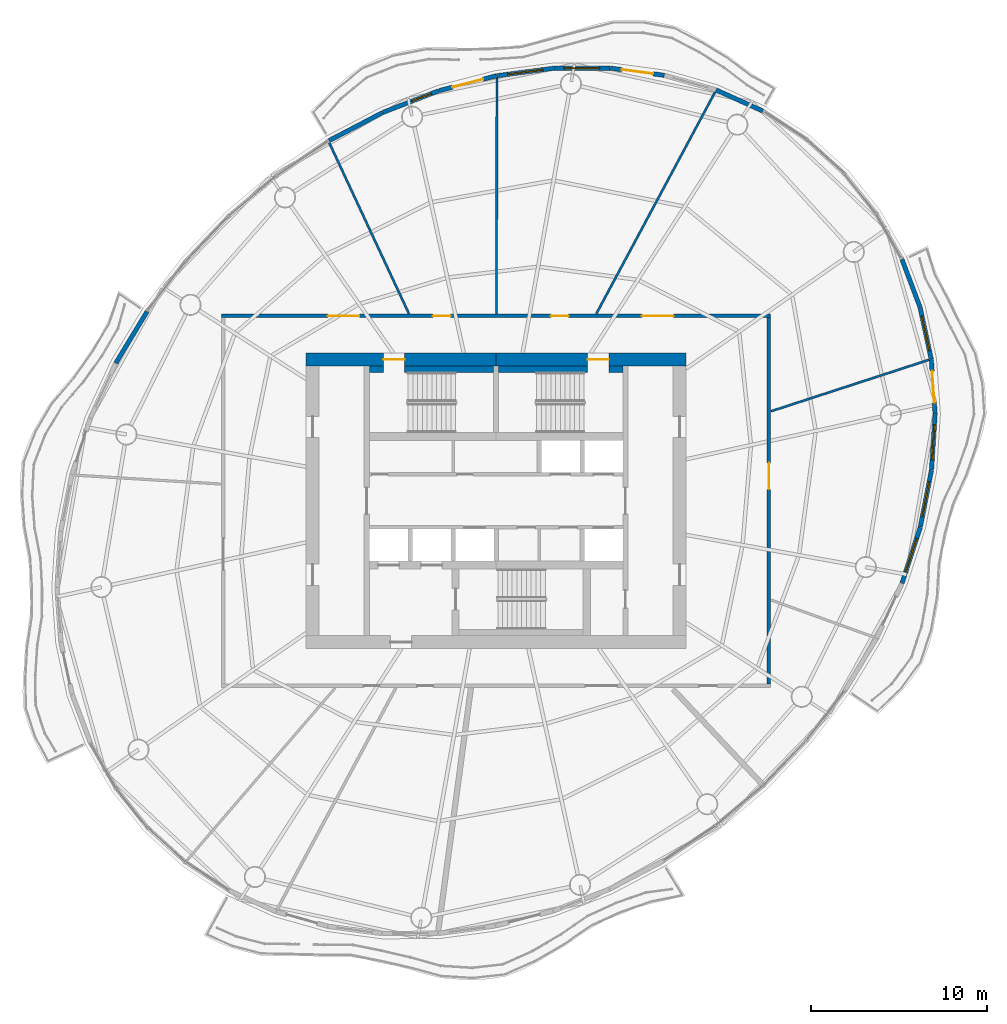
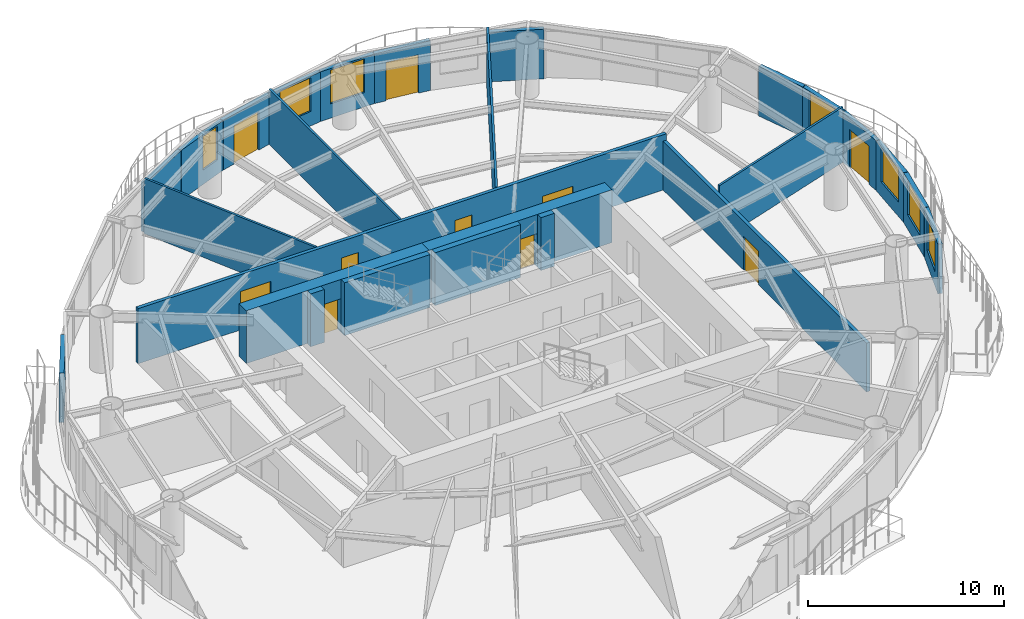
# One storey, part 10 of 14: 26 walls, 10 doors, 7 windows, 17 openings.
"""IFC4 building model written with IfcOpenShell, lengths in metres."""

from ifc_helpers import new_model, si_unit, direction, frame, frame_2d, origin, place, context, subcontext, project, spatial, rectangle, extrude, material, layer, layer_set, type_object, element, fill, save


model = new_model("IFC4")

# Units and contexts
model_context = context("Model", 3, precision=1e-05, world=origin(), true_north=direction((0.0, 1.0)))
body_context = subcontext(model_context, "Body", "Model", "MODEL_VIEW")
ifc_project = project(units=[si_unit("LENGTHUNIT", "METRE"), si_unit("AREAUNIT", "SQUARE_METRE"), si_unit("VOLUMEUNIT", "CUBIC_METRE"), si_unit("PLANEANGLEUNIT", "RADIAN"), si_unit("MASSUNIT", "GRAM", prefix="KILO")], contexts=[model_context])

# Site, building, storey
site_placement = place(None, origin())
site = spatial("IfcSite", under=ifc_project, at=site_placement, CompositionType="ELEMENT")
building_placement = place(site_placement, origin())
building = spatial("IfcBuilding", under=site, at=building_placement, Name="Vermilion Reach Broadcast Tower", CompositionType="ELEMENT")
storey_placement = place(building_placement, frame((0.0, 0.0, 206.5)))
storey = spatial("IfcBuildingStorey", under=building, at=storey_placement, Name="L50", CompositionType="ELEMENT", Elevation=206.5)

# Wall, opening, door
ifc_material_1 = material(Name="Concrete C60", Category="concrete")
ifc_layer_1 = layer(ifc_material_1, 0.75)
ifc_layer_set_1 = layer_set([ifc_layer_1], Name="Core outer wall 750 mm Concrete C60")
wall_type_1 = type_object("IfcWallType", Name="Core outer wall 750 mm Concrete C60", PredefinedType="SHEAR", material=ifc_layer_set_1)
wall_1_placement = place(storey_placement, frame((4.800048828125, 8.02490234375, 0.0), z_axis=(0.0, 0.0, 1.0), x_axis=(-1.0, 0.0, 0.0)))
wall_1 = element("IfcWall", 1, at=wall_1_placement, inside=storey, type_object=wall_type_1, Name="L50 core wall onE", PredefinedType="SHEAR", context=body_context, shape_type="SweptSolid", body=[
    extrude(rectangle(XDim=10.800048828125, YDim=0.75, at=frame_2d((5.39990234375, 0.0))), origin(), (0.0, 0.0, 1.0), 3.300048828125),
])
opening_1_placement = place(wall_1_placement, frame((4.39990234375, 0.0, 0.0)))
opening_1 = element("IfcOpeningElement", 2, at=opening_1_placement, cuts=wall_1, Name="Opening D01", PredefinedType="OPENING", context=body_context, shape_type="SweptSolid", body=[
    extrude(rectangle(XDim=1.199951171875, YDim=2.10009765625, at=frame_2d((0.60009765625, 1.050048828125))), frame((0.0, 0.385009765625, 0.0), z_axis=(0.0, -1.0, 0.0), x_axis=(1.0, 0.0, 0.0)), (0.0, 0.0, 1.0), 0.77001953125),
])
ifc_material_2 = material(Name="Painted steel fire door", Category="steel")
door_type_1 = type_object("IfcDoorType", Name="Stair door 1200 x 2100", OperationType="DOUBLE_DOOR_SINGLE_SWING", PredefinedType="NOTDEFINED", material=ifc_material_2)
door_1_placement = place(opening_1_placement, origin())
door_1 = element("IfcDoor", 3, at=door_1_placement, inside=storey, type_object=door_type_1, Name="L50 stair door ST2", OperationType="DOUBLE_DOOR_SINGLE_SWING", OverallHeight=2.10009765625, OverallWidth=1.199951171875, PredefinedType="NOTDEFINED", context=body_context, shape_type="SweptSolid", body=[
    extrude(rectangle(XDim=1.199951171875, YDim=2.10009765625, at=frame_2d((0.60009765625, 1.050048828125))), frame((0.0, 0.02490234375, 0.0), z_axis=(0.0, -1.0, 0.0), x_axis=(1.0, 0.0, 0.0)), (0.0, 0.0, 1.0), 0.050048828125),
])
fill(opening_1, door_1)

wall_2_placement = place(storey_placement, frame((-6.0, 8.02490234375, 0.0), z_axis=(0.0, 0.0, 1.0), x_axis=(-1.0, 0.0, 0.0)))
wall_2 = element("IfcWall", 4, at=wall_2_placement, inside=storey, type_object=wall_type_1, Name="L50 core wall onW", PredefinedType="SHEAR", context=body_context, shape_type="SweptSolid", body=[
    extrude(rectangle(XDim=10.800048828125, YDim=0.75, at=frame_2d((5.39990234375, 0.0))), origin(), (0.0, 0.0, 1.0), 3.300048828125),
])
opening_2_placement = place(wall_2_placement, frame((5.199951171875, 0.0, 0.0)))
opening_2 = element("IfcOpeningElement", 5, at=opening_2_placement, cuts=wall_2, Name="Opening D01", PredefinedType="OPENING", context=body_context, shape_type="SweptSolid", body=[
    extrude(rectangle(XDim=1.199951171875, YDim=2.10009765625, at=frame_2d((0.60009765625, 1.050048828125))), frame((0.0, 0.385009765625, 0.0), z_axis=(0.0, -1.0, 0.0), x_axis=(1.0, 0.0, 0.0)), (0.0, 0.0, 1.0), 0.77001953125),
])
door_2_placement = place(opening_2_placement, origin())
door_2 = element("IfcDoor", 6, at=door_2_placement, inside=storey, type_object=door_type_1, Name="L50 stair door ST1", OperationType="DOUBLE_DOOR_SINGLE_SWING", OverallHeight=2.10009765625, OverallWidth=1.199951171875, PredefinedType="NOTDEFINED", context=body_context, shape_type="SweptSolid", body=[
    extrude(rectangle(XDim=1.199951171875, YDim=2.10009765625, at=frame_2d((0.60009765625, 1.050048828125))), frame((0.0, 0.02490234375, 0.0), z_axis=(0.0, -1.0, 0.0), x_axis=(1.0, 0.0, 0.0)), (0.0, 0.0, 1.0), 0.050048828125),
])
fill(opening_2, door_2)

# Walls
ifc_material_3 = material(Name="Concrete C60", Category="concrete")
ifc_layer_2 = layer(ifc_material_3, 0.35009765625)
ifc_layer_set_2 = layer_set([ifc_layer_2], Name="Core stair wall 350 mm Concrete C60")
wall_type_2 = type_object("IfcWallType", Name="Core stair wall 350 mm Concrete C60", PredefinedType="SHEAR", material=ifc_layer_set_2)
wall_3_placement = place(storey_placement, frame((-13.199951171875, 7.47509765625, 0.0), z_axis=(0.0, 0.0, 1.0), x_axis=(1.0, 0.0, 0.0)))
element("IfcWall", 7, at=wall_3_placement, inside=storey, type_object=wall_type_2, Name="L50 core wall l1a", PredefinedType="SHEAR", context=body_context, shape_type="SweptSolid", body=[
    extrude(rectangle(XDim=0.800048828125, YDim=0.35009765625, at=frame_2d((0.39990234375, 0.0))), origin(), (0.0, 0.0, 1.0), 3.300048828125),
])
for number, where, z_axis, x_axis, name in (
    (8, (-11.199951171875, 7.47509765625, 0.0), (0.0, 0.0, 1.0), (1.0, 0.0, 0.0), "L50 core wall l1b"),
    (9, (-5.85009765625, 7.47509765625, 0.0), (0.0, 0.0, 1.0), (1.0, 0.0, 0.0), "L50 core wall l2a"),
):
    element("IfcWall", number, at=place(storey_placement, frame(where, z_axis=z_axis, x_axis=x_axis)), inside=storey, type_object=wall_type_2, Name=name, PredefinedType="SHEAR", context=body_context, shape_type="SweptSolid", body=[
        extrude(rectangle(XDim=5.050048828125, YDim=0.35009765625, at=frame_2d((2.52490234375, 0.0))), origin(), (0.0, 0.0, 1.0), 3.300048828125),
    ])
wall_4_placement = place(storey_placement, frame((0.39990234375, 7.47509765625, 0.0), z_axis=(0.0, 0.0, 1.0), x_axis=(1.0, 0.0, 0.0)))
element("IfcWall", 10, at=wall_4_placement, inside=storey, type_object=wall_type_2, Name="L50 core wall l2b", PredefinedType="SHEAR", context=body_context, shape_type="SweptSolid", body=[
    extrude(rectangle(XDim=0.800048828125, YDim=0.35009765625, at=frame_2d((0.39990234375, 0.0))), origin(), (0.0, 0.0, 1.0), 3.300048828125),
])

# Wall, openings, doors
ifc_material_4 = material(Name="Fire-rated gypsum board partition")
ifc_layer_3 = layer(ifc_material_4, 0.199951171875)
ifc_layer_set_3 = layer_set([ifc_layer_3], Name="Corridor wall 200 fire-rated")
wall_type_3 = type_object("IfcWallType", Name="Corridor wall 200 fire-rated", PredefinedType="PARTITIONING", material=ifc_layer_set_3)
wall_5_placement = place(storey_placement, frame((-21.60009765625, 10.5, 0.0), z_axis=(0.0, 0.0, 1.0), x_axis=(1.0, 0.0, 0.0)))
wall_5 = element("IfcWall", 11, at=wall_5_placement, inside=storey, type_object=wall_type_3, Name="Corridor wall 50.N", PredefinedType="PARTITIONING", context=body_context, shape_type="SweptSolid", body=[
    extrude(rectangle(XDim=31.2001953125, YDim=0.199951171875, at=frame_2d((15.60009765625, 0.0))), origin(), (0.0, 0.0, 1.0), 3.449951171875),
])
opening_3_placement = place(wall_5_placement, frame((18.716552734375, 0.0, 0.0)))
opening_3 = element("IfcOpeningElement", 12, at=opening_3_placement, cuts=wall_5, Name="Opening D23", PredefinedType="OPENING", context=body_context, shape_type="SweptSolid", body=[
    extrude(rectangle(XDim=1.0, YDim=2.39990234375, at=frame_2d((0.5, 1.199951171875))), frame((0.0, 0.10986328125, 0.0), z_axis=(0.0, -1.0, 0.0), x_axis=(1.0, 0.0, 0.0)), (0.0, 0.0, 1.0), 0.219970703125),
])
opening_4_placement = place(wall_5_placement, frame((12.013671875, 0.0, 0.0)))
opening_4 = element("IfcOpeningElement", 13, at=opening_4_placement, cuts=wall_5, Name="Opening D23", PredefinedType="OPENING", context=body_context, shape_type="SweptSolid", body=[
    extrude(rectangle(XDim=1.0, YDim=2.39990234375, at=frame_2d((0.5, 1.199951171875))), frame((0.0, 0.10986328125, 0.0), z_axis=(0.0, -1.0, 0.0), x_axis=(1.0, 0.0, 0.0)), (0.0, 0.0, 1.0), 0.219970703125),
])
opening_5_placement = place(wall_5_placement, frame((6.037353515625, 0.0, 0.0)))
opening_5 = element("IfcOpeningElement", 14, at=opening_5_placement, cuts=wall_5, Name="Opening D27", PredefinedType="OPENING", context=body_context, shape_type="SweptSolid", body=[
    extrude(rectangle(XDim=1.800048828125, YDim=2.39990234375, at=frame_2d((0.89990234375, 1.199951171875))), frame((0.0, 0.10986328125, 0.0), z_axis=(0.0, -1.0, 0.0), x_axis=(1.0, 0.0, 0.0)), (0.0, 0.0, 1.0), 0.219970703125),
])
opening_6_placement = place(wall_5_placement, frame((23.88037109375, 0.0, 0.0)))
opening_6 = element("IfcOpeningElement", 15, at=opening_6_placement, cuts=wall_5, Name="Opening D21", PredefinedType="OPENING", context=body_context, shape_type="SweptSolid", body=[
    extrude(rectangle(XDim=1.800048828125, YDim=2.10009765625, at=frame_2d((0.89990234375, 1.050048828125))), frame((0.0, 0.10986328125, 0.0), z_axis=(0.0, -1.0, 0.0), x_axis=(1.0, 0.0, 0.0)), (0.0, 0.0, 1.0), 0.219970703125),
])
ifc_material_5 = material(Name="Timber door leaf", Category="wood")
door_type_2 = type_object("IfcDoorType", Name="Door pair 1800x2100", OperationType="NOTDEFINED", PredefinedType="DOOR", material=ifc_material_5)
door_3_placement = place(opening_6_placement, origin())
door_3 = element("IfcDoor", 16, at=door_3_placement, inside=storey, type_object=door_type_2, Name="Door 50.10", OperationType="DOUBLE_DOOR_SINGLE_SWING", OverallHeight=2.10009765625, OverallWidth=1.800048828125, PredefinedType="DOOR", context=body_context, shape_type="SweptSolid", body=[
    extrude(rectangle(XDim=1.800048828125, YDim=2.10009765625, at=frame_2d((0.89990234375, 1.050048828125))), frame((0.0, 0.02490234375, 0.0), z_axis=(0.0, -1.0, 0.0), x_axis=(1.0, 0.0, 0.0)), (0.0, 0.0, 1.0), 0.050048828125),
])
fill(opening_6, door_3)
ifc_material_6 = material(Name="Acoustic timber door leaf", Category="wood")
door_type_3 = type_object("IfcDoorType", Name="Door pair 1800x2400", OperationType="NOTDEFINED", PredefinedType="DOOR", material=ifc_material_6)
door_4_placement = place(opening_5_placement, origin())
door_4 = element("IfcDoor", 17, at=door_4_placement, inside=storey, type_object=door_type_3, Name="Door 50.03", OperationType="DOUBLE_DOOR_SINGLE_SWING", OverallHeight=2.39990234375, OverallWidth=1.800048828125, PredefinedType="DOOR", context=body_context, shape_type="SweptSolid", body=[
    extrude(rectangle(XDim=1.800048828125, YDim=2.39990234375, at=frame_2d((0.89990234375, 1.199951171875))), frame((0.0, 0.02490234375, 0.0), z_axis=(0.0, -1.0, 0.0), x_axis=(1.0, 0.0, 0.0)), (0.0, 0.0, 1.0), 0.050048828125),
])
fill(opening_5, door_4)
ifc_material_7 = material(Name="Veneered timber door leaf", Category="wood")
door_type_4 = type_object("IfcDoorType", Name="Door single 1000x2400", OperationType="NOTDEFINED", PredefinedType="DOOR", material=ifc_material_7)
door_5_placement = place(opening_3_placement, origin())
door_5 = element("IfcDoor", 18, at=door_5_placement, inside=storey, type_object=door_type_4, Name="Door 50.01", OperationType="SINGLE_SWING_RIGHT", OverallHeight=2.39990234375, OverallWidth=1.0, PredefinedType="DOOR", context=body_context, shape_type="SweptSolid", body=[
    extrude(rectangle(XDim=1.0, YDim=2.39990234375, at=frame_2d((0.5, 1.199951171875))), frame((0.0, 0.02490234375, 0.0), z_axis=(0.0, -1.0, 0.0), x_axis=(1.0, 0.0, 0.0)), (0.0, 0.0, 1.0), 0.050048828125),
])
fill(opening_3, door_5)
door_6_placement = place(opening_4_placement, origin())
door_6 = element("IfcDoor", 19, at=door_6_placement, inside=storey, type_object=door_type_4, Name="Door 50.02", OperationType="SINGLE_SWING_LEFT", OverallHeight=2.39990234375, OverallWidth=1.0, PredefinedType="DOOR", context=body_context, shape_type="SweptSolid", body=[
    extrude(rectangle(XDim=1.0, YDim=2.39990234375, at=frame_2d((0.5, 1.199951171875))), frame((0.0, 0.02490234375, 0.0), z_axis=(0.0, -1.0, 0.0), x_axis=(1.0, 0.0, 0.0)), (0.0, 0.0, 1.0), 0.050048828125),
])
fill(opening_4, door_6)

# Walls
ifc_material_8 = material(Name="Fire-rated plasterboard on steel stud", Category="steel")
ifc_layer_4 = layer(ifc_material_8, 0.125)
ifc_layer_set_4 = layer_set([ifc_layer_4], Name="Partition 125 fire-rated stud")
wall_type_4 = type_object("IfcWallType", Name="Partition 125 fire-rated stud", PredefinedType="PARTITIONING", material=ifc_layer_set_4)
wall_6_placement = place(storey_placement, frame((6.445068359375, 23.228271484375, 0.0), z_axis=(0.0, 0.0, 1.0), x_axis=(-0.472254118232, -0.881462448328, 0.0)))
element("IfcWall", 20, at=wall_6_placement, inside=storey, type_object=wall_type_4, Name="Partition 50.01", PredefinedType="PARTITIONING", context=body_context, shape_type="SweptSolid", body=[
    extrude(rectangle(XDim=14.293212890625, YDim=0.125, at=frame_2d((7.146484375, 0.0))), origin(), (0.0, 0.0, 1.0), 3.449951171875),
])
wall_7_placement = place(storey_placement, frame((-5.953369140625, 24.02294921875, 0.0), z_axis=(0.0, 0.0, 1.0), x_axis=(-0.001946158555, -0.999998106232, 0.0)))
element("IfcWall", 21, at=wall_7_placement, inside=storey, type_object=wall_type_4, Name="Partition 50.02", PredefinedType="PARTITIONING", context=body_context, shape_type="SweptSolid", body=[
    extrude(rectangle(XDim=13.4228515625, YDim=0.125, at=frame_2d((6.71142578125, 0.0))), origin(), (0.0, 0.0, 1.0), 3.449951171875),
])
wall_8_placement = place(storey_placement, frame((-15.473388671875, 20.330322265625, 0.0), z_axis=(0.0, 0.0, 1.0), x_axis=(0.422368542202, -0.906424191291, 0.0)))
element("IfcWall", 22, at=wall_8_placement, inside=storey, type_object=wall_type_4, Name="Partition 50.03", PredefinedType="PARTITIONING", context=body_context, shape_type="SweptSolid", body=[
    extrude(rectangle(XDim=10.70556640625, YDim=0.125, at=frame_2d((5.352783203125, 0.0))), origin(), (0.0, 0.0, 1.0), 3.449951171875),
])
wall_9_placement = place(storey_placement, frame((18.599365234375, 8.0126953125, 0.0), z_axis=(0.0, 0.0, 1.0), x_axis=(-0.950829834715, -0.30971377983, 0.0)))
element("IfcWall", 23, at=wall_9_placement, inside=storey, type_object=wall_type_4, Name="Partition 50.10", PredefinedType="PARTITIONING", context=body_context, shape_type="SweptSolid", body=[
    extrude(rectangle(XDim=9.4443359375, YDim=0.125, at=frame_2d((4.72216796875, 0.0))), origin(), (0.0, 0.0, 1.0), 3.449951171875),
])
ifc_material_9 = material(Name="Terracotta rainscreen cladding", Category="masonry")
ifc_layer_5 = layer(ifc_material_9, 0.25)
ifc_layer_set_5 = layer_set([ifc_layer_5], Name="Terracotta rainscreen wall 250")
wall_type_5 = type_object("IfcWallType", Name="Terracotta rainscreen wall 250", PredefinedType="SOLIDWALL", material=ifc_layer_set_5)
wall_10_placement = place(storey_placement, frame((9.143798828125, 22.146728515625, 0.0), z_axis=(0.0, 0.0, 1.0), x_axis=(-0.91141845893, 0.411480731897, 0.0)))
element("IfcWall", 24, at=wall_10_placement, inside=storey, type_object=wall_type_5, Name="External wall L50 02", PredefinedType="SOLIDWALL", context=body_context, shape_type="SweptSolid", body=[
    extrude(rectangle(XDim=2.900634765625, YDim=0.25, at=frame_2d((1.4501953125, 0.0))), origin(), (0.0, 0.0, 1.0), 3.10009765625),
])

# Wall, opening, door
wall_11_placement = place(storey_placement, frame((3.553955078125, 24.171875, 0.0), z_axis=(0.0, 0.0, 1.0), x_axis=(-0.99120717839, 0.132319044388, 0.0)))
wall_11 = element("IfcWall", 25, at=wall_11_placement, inside=storey, type_object=wall_type_5, Name="External wall L50 04", PredefinedType="SOLIDWALL", context=body_context, shape_type="SweptSolid", body=[
    extrude(rectangle(XDim=3.088623046875, YDim=0.25, at=frame_2d((1.54443359375, 0.0))), origin(), (0.0, 0.0, 1.0), 3.10009765625),
])
opening_7_placement = place(wall_11_placement, frame((0.64404296875, 0.0, 0.0)))
opening_7 = element("IfcOpeningElement", 26, at=opening_7_placement, cuts=wall_11, Name="Opening D70", PredefinedType="OPENING", context=body_context, shape_type="SweptSolid", body=[
    extrude(rectangle(XDim=1.800048828125, YDim=2.39990234375, at=frame_2d((0.89990234375, 1.199951171875))), frame((0.0, 0.135009765625, 0.0), z_axis=(0.0, -1.0, 0.0), x_axis=(1.0, 0.0, 0.0)), (0.0, 0.0, 1.0), 0.27001953125),
])
ifc_material_10 = material(Name="Low-e laminated clear glass in aluminium frame", Category="aluminium")
door_type_5 = type_object("IfcDoorType", Name="Balcony sliding door 1800 x 2400", OperationType="DOUBLE_DOOR_SLIDING", PredefinedType="DOOR", material=ifc_material_10)
door_7_placement = place(opening_7_placement, origin())
door_7 = element("IfcDoor", 27, at=door_7_placement, inside=storey, type_object=door_type_5, Name="Balcony door L50 run 01", OperationType="DOUBLE_DOOR_SLIDING", OverallHeight=2.39990234375, OverallWidth=1.800048828125, PredefinedType="DOOR", context=body_context, shape_type="SweptSolid", body=[
    extrude(rectangle(XDim=1.800048828125, YDim=2.39990234375, at=frame_2d((0.89990234375, 1.199951171875))), frame((0.0, 0.02490234375, 0.0), z_axis=(0.0, -1.0, 0.0), x_axis=(1.0, 0.0, 0.0)), (0.0, 0.0, 1.0), 0.050048828125),
])
fill(opening_7, door_7)

# Wall, opening, window
wall_12_placement = place(storey_placement, frame((0.467529296875, 24.582275390625, 0.0), z_axis=(0.0, 0.0, 1.0), x_axis=(-0.999996972757, -0.002460584631, 0.0)))
wall_12 = element("IfcWall", 28, at=wall_12_placement, inside=storey, type_object=wall_type_5, Name="External wall L50 05", PredefinedType="SOLIDWALL", context=body_context, shape_type="SweptSolid", body=[
    extrude(rectangle(XDim=3.175048828125, YDim=0.25, at=frame_2d((1.58740234375, 0.0))), origin(), (0.0, 0.0, 1.0), 3.10009765625),
])
opening_8_placement = place(wall_12_placement, frame((0.587646484375, 0.0, 0.89990234375)))
opening_8 = element("IfcOpeningElement", 29, at=opening_8_placement, cuts=wall_12, Name="Opening W03", PredefinedType="OPENING", context=body_context, shape_type="SweptSolid", body=[
    extrude(rectangle(XDim=2.0, YDim=2.10009765625, at=frame_2d((1.0, 1.050048828125))), frame((0.0, 0.135009765625, 0.0), z_axis=(0.0, -1.0, 0.0), x_axis=(1.0, 0.0, 0.0)), (0.0, 0.0, 1.0), 0.27001953125),
])
ifc_material_11 = material(Name="Low-e laminated clear glass in aluminium frame", Category="aluminium")
window_type_1 = type_object("IfcWindowType", Name="Punched window 2000 x 2100 sill 900", PartitioningType="SINGLE_PANEL", PredefinedType="WINDOW", material=ifc_material_11)
window_1_placement = place(opening_8_placement, origin())
window_1 = element("IfcWindow", 30, at=window_1_placement, inside=storey, type_object=window_type_1, Name="Window L50 05", OverallHeight=2.10009765625, OverallWidth=2.0, PartitioningType="SINGLE_PANEL", PredefinedType="WINDOW", context=body_context, shape_type="SweptSolid", body=[
    extrude(rectangle(XDim=2.0, YDim=2.10009765625, at=frame_2d((1.0, 1.050048828125))), frame((0.0, 0.030029296875, 0.0), z_axis=(0.0, -1.0, 0.0), x_axis=(1.0, 0.0, 0.0)), (0.0, 0.0, 1.0), 0.06005859375),
])
fill(opening_8, window_1)

wall_13_placement = place(storey_placement, frame((-2.7314453125, 24.57275390625, 0.0), z_axis=(0.0, 0.0, 1.0), x_axis=(-0.991444867529, -0.130526145465, 0.0)))
wall_13 = element("IfcWall", 31, at=wall_13_placement, inside=storey, type_object=wall_type_5, Name="External wall L50 06", PredefinedType="SOLIDWALL", context=body_context, shape_type="SweptSolid", body=[
    extrude(rectangle(XDim=3.261962890625, YDim=0.25, at=frame_2d((1.630859375, 0.0))), origin(), (0.0, 0.0, 1.0), 3.10009765625),
])
opening_9_placement = place(wall_13_placement, frame((0.631103515625, 0.0, 0.89990234375)))
opening_9 = element("IfcOpeningElement", 32, at=opening_9_placement, cuts=wall_13, Name="Opening W03", PredefinedType="OPENING", context=body_context, shape_type="SweptSolid", body=[
    extrude(rectangle(XDim=2.0, YDim=2.10009765625, at=frame_2d((1.0, 1.050048828125))), frame((0.0, 0.135009765625, 0.0), z_axis=(0.0, -1.0, 0.0), x_axis=(1.0, 0.0, 0.0)), (0.0, 0.0, 1.0), 0.27001953125),
])
window_2_placement = place(opening_9_placement, origin())
window_2 = element("IfcWindow", 33, at=window_2_placement, inside=storey, type_object=window_type_1, Name="Window L50 06", OverallHeight=2.10009765625, OverallWidth=2.0, PartitioningType="SINGLE_PANEL", PredefinedType="WINDOW", context=body_context, shape_type="SweptSolid", body=[
    extrude(rectangle(XDim=2.0, YDim=2.10009765625, at=frame_2d((1.0, 1.050048828125))), frame((0.0, 0.030029296875, 0.0), z_axis=(0.0, -1.0, 0.0), x_axis=(1.0, 0.0, 0.0)), (0.0, 0.0, 1.0), 0.06005859375),
])
fill(opening_9, window_2)

# Wall, opening, door
wall_14_placement = place(storey_placement, frame((-5.988525390625, 24.142578125, 0.0), z_axis=(0.0, 0.0, 1.0), x_axis=(-0.968152404137, -0.250361583242, 0.0)))
wall_14 = element("IfcWall", 34, at=wall_14_placement, inside=storey, type_object=wall_type_5, Name="External wall L50 07", PredefinedType="SOLIDWALL", context=body_context, shape_type="SweptSolid", body=[
    extrude(rectangle(XDim=3.34375, YDim=0.25, at=frame_2d((1.671875, 0.0))), origin(), (0.0, 0.0, 1.0), 3.10009765625),
])
opening_10_placement = place(wall_14_placement, frame((0.77197265625, 0.0, 0.0)))
opening_10 = element("IfcOpeningElement", 35, at=opening_10_placement, cuts=wall_14, Name="Opening D70", PredefinedType="OPENING", context=body_context, shape_type="SweptSolid", body=[
    extrude(rectangle(XDim=1.800048828125, YDim=2.39990234375, at=frame_2d((0.89990234375, 1.199951171875))), frame((0.0, 0.135009765625, 0.0), z_axis=(0.0, -1.0, 0.0), x_axis=(1.0, 0.0, 0.0)), (0.0, 0.0, 1.0), 0.27001953125),
])
door_8_placement = place(opening_10_placement, origin())
door_8 = element("IfcDoor", 36, at=door_8_placement, inside=storey, type_object=door_type_5, Name="Balcony door L50 run 02", OperationType="DOUBLE_DOOR_SLIDING", OverallHeight=2.39990234375, OverallWidth=1.800048828125, PredefinedType="DOOR", context=body_context, shape_type="SweptSolid", body=[
    extrude(rectangle(XDim=1.800048828125, YDim=2.39990234375, at=frame_2d((0.89990234375, 1.199951171875))), frame((0.0, 0.02490234375, 0.0), z_axis=(0.0, -1.0, 0.0), x_axis=(1.0, 0.0, 0.0)), (0.0, 0.0, 1.0), 0.050048828125),
])
fill(opening_10, door_8)

# Wall, opening, window
wall_15_placement = place(storey_placement, frame((-9.247314453125, 23.298583984375, 0.0), z_axis=(0.0, 0.0, 1.0), x_axis=(-0.932349015041, -0.361559558236, 0.0)))
wall_15 = element("IfcWall", 37, at=wall_15_placement, inside=storey, type_object=wall_type_5, Name="External wall L50 08", PredefinedType="SOLIDWALL", context=body_context, shape_type="SweptSolid", body=[
    extrude(rectangle(XDim=3.415283203125, YDim=0.25, at=frame_2d((1.70751953125, 0.0))), origin(), (0.0, 0.0, 1.0), 3.10009765625),
])
opening_11_placement = place(wall_15_placement, frame((0.4580078125, 0.0, 0.89990234375)))
opening_11 = element("IfcOpeningElement", 38, at=opening_11_placement, cuts=wall_15, Name="Opening W05", PredefinedType="OPENING", context=body_context, shape_type="SweptSolid", body=[
    extrude(rectangle(XDim=1.199951171875, YDim=2.10009765625, at=frame_2d((0.60009765625, 1.050048828125))), frame((0.0, 0.135009765625, 0.0), z_axis=(0.0, -1.0, 0.0), x_axis=(1.0, 0.0, 0.0)), (0.0, 0.0, 1.0), 0.27001953125),
])
ifc_material_12 = material(Name="Low-e laminated clear glass in aluminium frame", Category="aluminium")
window_type_2 = type_object("IfcWindowType", Name="Punched window 1200 x 2100 sill 900", PartitioningType="SINGLE_PANEL", PredefinedType="WINDOW", material=ifc_material_12)
window_3_placement = place(opening_11_placement, origin())
window_3 = element("IfcWindow", 39, at=window_3_placement, inside=storey, type_object=window_type_2, Name="Window L50 08", OverallHeight=2.10009765625, OverallWidth=1.199951171875, PartitioningType="SINGLE_PANEL", PredefinedType="WINDOW", context=body_context, shape_type="SweptSolid", body=[
    extrude(rectangle(XDim=1.199951171875, YDim=2.10009765625, at=frame_2d((0.60009765625, 1.050048828125))), frame((0.0, 0.030029296875, 0.0), z_axis=(0.0, -1.0, 0.0), x_axis=(1.0, 0.0, 0.0)), (0.0, 0.0, 1.0), 0.06005859375),
])
fill(opening_11, window_3)

# Walls
wall_16_placement = place(storey_placement, frame((-12.451904296875, 22.054443359375, 0.0), z_axis=(0.0, 0.0, 1.0), x_axis=(-0.885763231358, -0.464137369724, 0.0)))
element("IfcWall", 40, at=wall_16_placement, inside=storey, type_object=wall_type_5, Name="External wall L50 09", PredefinedType="SOLIDWALL", context=body_context, shape_type="SweptSolid", body=[
    extrude(rectangle(XDim=3.428466796875, YDim=0.25, at=frame_2d((1.71435546875, 0.0))), origin(), (0.0, 0.0, 1.0), 3.10009765625),
])
wall_17_placement = place(storey_placement, frame((-25.826904296875, 10.7548828125, 0.0), z_axis=(0.0, 0.0, 1.0), x_axis=(-0.518887081606, -0.854842790542, 0.0)))
element("IfcWall", 41, at=wall_17_placement, inside=storey, type_object=wall_type_5, Name="External wall L50 14", PredefinedType="SOLIDWALL", context=body_context, shape_type="SweptSolid", body=[
    extrude(rectangle(XDim=3.4287109375, YDim=0.25, at=frame_2d((1.71435546875, 0.0))), origin(), (0.0, 0.0, 1.0), 3.10009765625),
])

# Wall, opening, window
wall_18_placement = place(storey_placement, frame((17.056884765625, -4.682861328125, 0.0), z_axis=(0.0, 0.0, 1.0), x_axis=(0.310658941467, 0.950521447463, 0.0)))
wall_18 = element("IfcWall", 42, at=wall_18_placement, inside=storey, type_object=wall_type_5, Name="External wall L50 40", PredefinedType="SOLIDWALL", context=body_context, shape_type="SweptSolid", body=[
    extrude(rectangle(XDim=3.343994140625, YDim=0.25, at=frame_2d((1.671875, 0.0))), origin(), (0.0, 0.0, 1.0), 3.10009765625),
])
opening_12_placement = place(wall_18_placement, frame((0.671875, 0.0, 0.89990234375)))
opening_12 = element("IfcOpeningElement", 43, at=opening_12_placement, cuts=wall_18, Name="Opening W03", PredefinedType="OPENING", context=body_context, shape_type="SweptSolid", body=[
    extrude(rectangle(XDim=2.0, YDim=2.10009765625, at=frame_2d((1.0, 1.050048828125))), frame((0.0, 0.135009765625, 0.0), z_axis=(0.0, -1.0, 0.0), x_axis=(1.0, 0.0, 0.0)), (0.0, 0.0, 1.0), 0.27001953125),
])
window_4_placement = place(opening_12_placement, origin())
window_4 = element("IfcWindow", 44, at=window_4_placement, inside=storey, type_object=window_type_1, Name="Window L50 40", OverallHeight=2.10009765625, OverallWidth=2.0, PartitioningType="SINGLE_PANEL", PredefinedType="WINDOW", context=body_context, shape_type="SweptSolid", body=[
    extrude(rectangle(XDim=2.0, YDim=2.10009765625, at=frame_2d((1.0, 1.050048828125))), frame((0.0, 0.030029296875, 0.0), z_axis=(0.0, -1.0, 0.0), x_axis=(1.0, 0.0, 0.0)), (0.0, 0.0, 1.0), 0.06005859375),
])
fill(opening_12, window_4)

wall_19_placement = place(storey_placement, frame((18.1015625, -1.48193359375, 0.0), z_axis=(0.0, 0.0, 1.0), x_axis=(0.192487942272, 0.981299338673, 0.0)))
wall_19 = element("IfcWall", 45, at=wall_19_placement, inside=storey, type_object=wall_type_5, Name="External wall L50 41", PredefinedType="SOLIDWALL", context=body_context, shape_type="SweptSolid", body=[
    extrude(rectangle(XDim=3.26220703125, YDim=0.25, at=frame_2d((1.631103515625, 0.0))), origin(), (0.0, 0.0, 1.0), 3.10009765625),
])
opening_13_placement = place(wall_19_placement, frame((0.631103515625, 0.0, 0.89990234375)))
opening_13 = element("IfcOpeningElement", 46, at=opening_13_placement, cuts=wall_19, Name="Opening W03", PredefinedType="OPENING", context=body_context, shape_type="SweptSolid", body=[
    extrude(rectangle(XDim=2.0, YDim=2.10009765625, at=frame_2d((1.0, 1.050048828125))), frame((0.0, 0.135009765625, 0.0), z_axis=(0.0, -1.0, 0.0), x_axis=(1.0, 0.0, 0.0)), (0.0, 0.0, 1.0), 0.27001953125),
])
window_5_placement = place(opening_13_placement, origin())
window_5 = element("IfcWindow", 47, at=window_5_placement, inside=storey, type_object=window_type_1, Name="Window L50 41", OverallHeight=2.10009765625, OverallWidth=2.0, PartitioningType="SINGLE_PANEL", PredefinedType="WINDOW", context=body_context, shape_type="SweptSolid", body=[
    extrude(rectangle(XDim=2.0, YDim=2.10009765625, at=frame_2d((1.0, 1.050048828125))), frame((0.0, 0.030029296875, 0.0), z_axis=(0.0, -1.0, 0.0), x_axis=(1.0, 0.0, 0.0)), (0.0, 0.0, 1.0), 0.06005859375),
])
fill(opening_13, window_5)

wall_20_placement = place(storey_placement, frame((18.732666015625, 1.742919921875, 0.0), z_axis=(0.0, 0.0, 1.0), x_axis=(0.065278866851, 0.997867060055, 0.0)))
wall_20 = element("IfcWall", 48, at=wall_20_placement, inside=storey, type_object=wall_type_5, Name="External wall L50 42", PredefinedType="SOLIDWALL", context=body_context, shape_type="SweptSolid", body=[
    extrude(rectangle(XDim=3.17529296875, YDim=0.25, at=frame_2d((1.587646484375, 0.0))), origin(), (0.0, 0.0, 1.0), 3.10009765625),
])
opening_14_placement = place(wall_20_placement, frame((0.587646484375, 0.0, 0.89990234375)))
opening_14 = element("IfcOpeningElement", 49, at=opening_14_placement, cuts=wall_20, Name="Opening W03", PredefinedType="OPENING", context=body_context, shape_type="SweptSolid", body=[
    extrude(rectangle(XDim=2.0, YDim=2.10009765625, at=frame_2d((1.0, 1.050048828125))), frame((0.0, 0.135009765625, 0.0), z_axis=(0.0, -1.0, 0.0), x_axis=(1.0, 0.0, 0.0)), (0.0, 0.0, 1.0), 0.27001953125),
])
window_6_placement = place(opening_14_placement, origin())
window_6 = element("IfcWindow", 50, at=window_6_placement, inside=storey, type_object=window_type_1, Name="Window L50 42", OverallHeight=2.10009765625, OverallWidth=2.0, PartitioningType="SINGLE_PANEL", PredefinedType="WINDOW", context=body_context, shape_type="SweptSolid", body=[
    extrude(rectangle(XDim=2.0, YDim=2.10009765625, at=frame_2d((1.0, 1.050048828125))), frame((0.0, 0.030029296875, 0.0), z_axis=(0.0, -1.0, 0.0), x_axis=(1.0, 0.0, 0.0)), (0.0, 0.0, 1.0), 0.06005859375),
])
fill(opening_14, window_6)

# Wall, opening, door
wall_21_placement = place(storey_placement, frame((18.93994140625, 4.936279296875, 0.0), z_axis=(0.0, 0.0, 1.0), x_axis=(-0.06987632373, 0.997555662298, 0.0)))
wall_21 = element("IfcWall", 51, at=wall_21_placement, inside=storey, type_object=wall_type_5, Name="External wall L50 43", PredefinedType="SOLIDWALL", context=body_context, shape_type="SweptSolid", body=[
    extrude(rectangle(XDim=3.088623046875, YDim=0.25, at=frame_2d((1.54443359375, 0.0))), origin(), (0.0, 0.0, 1.0), 3.10009765625),
])
opening_15_placement = place(wall_21_placement, frame((0.64404296875, 0.0, 0.0)))
opening_15 = element("IfcOpeningElement", 52, at=opening_15_placement, cuts=wall_21, Name="Opening D70", PredefinedType="OPENING", context=body_context, shape_type="SweptSolid", body=[
    extrude(rectangle(XDim=1.800048828125, YDim=2.39990234375, at=frame_2d((0.89990234375, 1.199951171875))), frame((0.0, 0.135009765625, 0.0), z_axis=(0.0, -1.0, 0.0), x_axis=(1.0, 0.0, 0.0)), (0.0, 0.0, 1.0), 0.27001953125),
])
door_9_placement = place(opening_15_placement, origin())
door_9 = element("IfcDoor", 53, at=door_9_placement, inside=storey, type_object=door_type_5, Name="Balcony door L50 run 11", OperationType="DOUBLE_DOOR_SLIDING", OverallHeight=2.39990234375, OverallWidth=1.800048828125, PredefinedType="DOOR", context=body_context, shape_type="SweptSolid", body=[
    extrude(rectangle(XDim=1.800048828125, YDim=2.39990234375, at=frame_2d((0.89990234375, 1.199951171875))), frame((0.0, 0.02490234375, 0.0), z_axis=(0.0, -1.0, 0.0), x_axis=(1.0, 0.0, 0.0)), (0.0, 0.0, 1.0), 0.050048828125),
])
fill(opening_15, door_9)

# Wall, opening, window
wall_22_placement = place(storey_placement, frame((18.720458984375, 8.042724609375, 0.0), z_axis=(0.0, 0.0, 1.0), x_axis=(-0.210637196003, 0.977564305639, 0.0)))
wall_22 = element("IfcWall", 54, at=wall_22_placement, inside=storey, type_object=wall_type_5, Name="External wall L50 44", PredefinedType="SOLIDWALL", context=body_context, shape_type="SweptSolid", body=[
    extrude(rectangle(XDim=3.009033203125, YDim=0.25, at=frame_2d((1.50439453125, 0.0))), origin(), (0.0, 0.0, 1.0), 3.10009765625),
])
opening_16_placement = place(wall_22_placement, frame((0.50439453125, 0.0, 0.89990234375)))
opening_16 = element("IfcOpeningElement", 55, at=opening_16_placement, cuts=wall_22, Name="Opening W03", PredefinedType="OPENING", context=body_context, shape_type="SweptSolid", body=[
    extrude(rectangle(XDim=2.0, YDim=2.10009765625, at=frame_2d((1.0, 1.050048828125))), frame((0.0, 0.135009765625, 0.0), z_axis=(0.0, -1.0, 0.0), x_axis=(1.0, 0.0, 0.0)), (0.0, 0.0, 1.0), 0.27001953125),
])
window_7_placement = place(opening_16_placement, origin())
window_7 = element("IfcWindow", 56, at=window_7_placement, inside=storey, type_object=window_type_1, Name="Window L50 44", OverallHeight=2.10009765625, OverallWidth=2.0, PartitioningType="SINGLE_PANEL", PredefinedType="WINDOW", context=body_context, shape_type="SweptSolid", body=[
    extrude(rectangle(XDim=2.0, YDim=2.10009765625, at=frame_2d((1.0, 1.050048828125))), frame((0.0, 0.030029296875, 0.0), z_axis=(0.0, -1.0, 0.0), x_axis=(1.0, 0.0, 0.0)), (0.0, 0.0, 1.0), 0.06005859375),
])
fill(opening_16, window_7)

# Wall
wall_23_placement = place(storey_placement, frame((18.0791015625, 11.009765625, 0.0), z_axis=(0.0, 0.0, 1.0), x_axis=(-0.353400568719, 0.935472093667, 0.0)))
element("IfcWall", 57, at=wall_23_placement, inside=storey, type_object=wall_type_5, Name="External wall L50 45", PredefinedType="SOLIDWALL", context=body_context, shape_type="SweptSolid", body=[
    extrude(rectangle(XDim=2.90087890625, YDim=0.25, at=frame_2d((1.450439453125, 0.0))), origin(), (0.0, 0.0, 1.0), 3.10009765625),
])

# Wall, opening, door
ifc_material_13 = material(Name="Fire-rated gypsum board partition")
ifc_layer_6 = layer(ifc_material_13, 0.199951171875)
ifc_layer_set_6 = layer_set([ifc_layer_6], Name="Under girder: Corridor wall 200 fire-rated")
wall_type_6 = type_object("IfcWallType", Name="Under girder: Corridor wall 200 fire-rated", PredefinedType="PARTITIONING", material=ifc_layer_set_6)
wall_24_placement = place(storey_placement, frame((9.5, 10.39990234375, 0.0), z_axis=(0.0, 0.0, 1.0), x_axis=(0.0, -1.0, 0.0)))
wall_24 = element("IfcWall", 58, at=wall_24_placement, inside=storey, type_object=wall_type_6, Name="Corridor wall 50.E", PredefinedType="PARTITIONING", context=body_context, shape_type="SweptSolid", body=[
    extrude(rectangle(XDim=20.7998046875, YDim=0.199951171875, at=frame_2d((10.39990234375, 0.0))), origin(), (0.0, 0.0, 1.0), 3.050048828125),
])
opening_17_placement = place(wall_24_placement, frame((8.24609375, 0.0, 0.0)))
opening_17 = element("IfcOpeningElement", 59, at=opening_17_placement, cuts=wall_24, Name="Opening D24", PredefinedType="OPENING", context=body_context, shape_type="SweptSolid", body=[
    extrude(rectangle(XDim=1.5, YDim=2.10009765625, at=frame_2d((0.75, 1.050048828125))), frame((0.0, 0.10986328125, 0.0), z_axis=(0.0, -1.0, 0.0), x_axis=(1.0, 0.0, 0.0)), (0.0, 0.0, 1.0), 0.219970703125),
])
ifc_material_14 = material(Name="Timber door leaf", Category="wood")
door_type_6 = type_object("IfcDoorType", Name="Door pair 1500x2100", OperationType="NOTDEFINED", PredefinedType="DOOR", material=ifc_material_14)
door_10_placement = place(opening_17_placement, origin())
door_10 = element("IfcDoor", 60, at=door_10_placement, inside=storey, type_object=door_type_6, Name="Door 50.09", OperationType="DOUBLE_DOOR_SINGLE_SWING", OverallHeight=2.10009765625, OverallWidth=1.5, PredefinedType="DOOR", context=body_context, shape_type="SweptSolid", body=[
    extrude(rectangle(XDim=1.5, YDim=2.10009765625, at=frame_2d((0.75, 1.050048828125))), frame((0.0, 0.02490234375, 0.0), z_axis=(0.0, -1.0, 0.0), x_axis=(1.0, 0.0, 0.0)), (0.0, 0.0, 1.0), 0.050048828125),
])
fill(opening_17, door_10)

save(model, "model.ifc")
